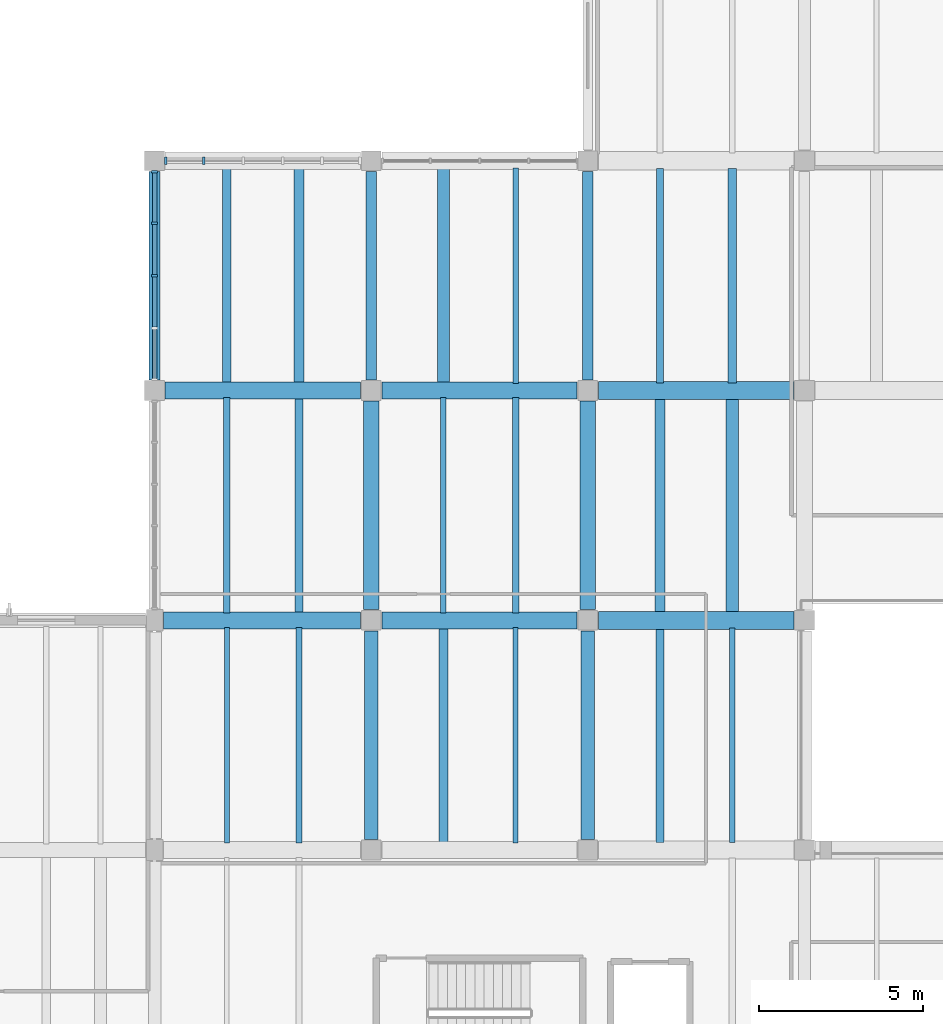
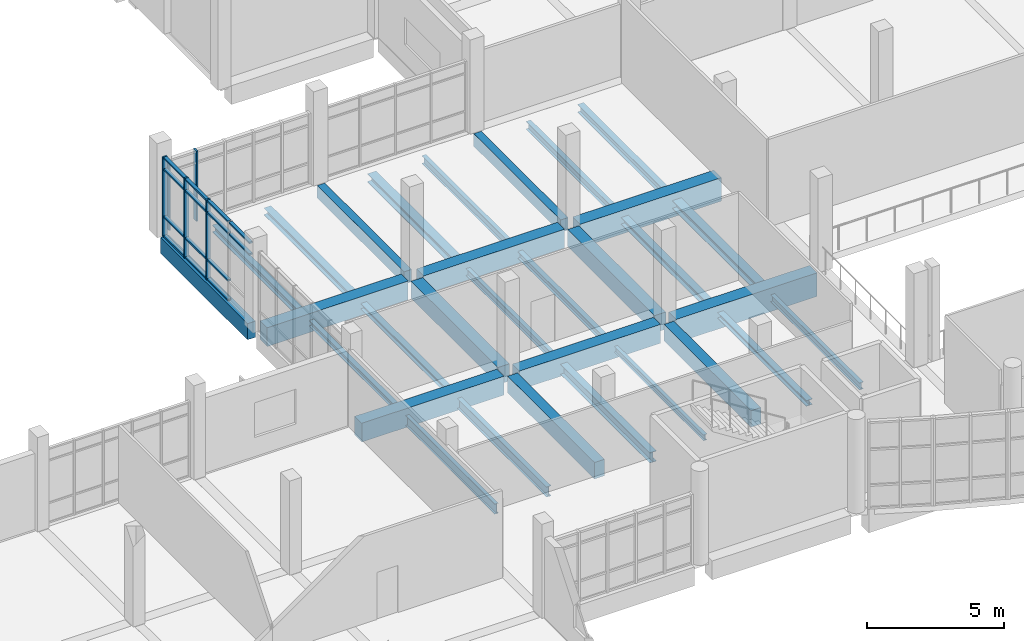
# One storey, part 7 of 67: 31 beams, 19 members, 2 elements without a shape of their own.
"""IFC4 building model written with IfcOpenShell, lengths in metres."""

from ifc_helpers import new_model, si_unit, direction, frame, origin, origin_2d, place, context, subcontext, project, spatial, rectangle, i_section, extrude, material, material_profile, profile_set, type_object, element, aggregate, save


model = new_model("IFC4")

# Units and contexts
model_context = context("Model", 3, precision=1e-05, world=origin(), true_north=direction((0.0, 1.0)))
body_context = subcontext(model_context, "Body", "Model", "MODEL_VIEW")
ifc_project = project(units=[si_unit("LENGTHUNIT", "METRE"), si_unit("AREAUNIT", "SQUARE_METRE"), si_unit("VOLUMEUNIT", "CUBIC_METRE"), si_unit("PLANEANGLEUNIT", "RADIAN"), si_unit("MASSUNIT", "GRAM", prefix="KILO")], contexts=[model_context])

# Site, building, storey
site_placement = place(None, origin())
site = spatial("IfcSite", under=ifc_project, at=site_placement, CompositionType="ELEMENT")
building_placement = place(site_placement, origin())
building = spatial("IfcBuilding", under=site, at=building_placement, Name="Ciguamira Faculty of Natural Sciences", CompositionType="ELEMENT")
storey_placement = place(building_placement, frame((0.0, 0.0, 8.39990234375)))
storey = spatial("IfcBuildingStorey", under=building, at=storey_placement, Name="L02", CompositionType="ELEMENT", Elevation=8.39990234375)

# Curtain wall, members
ifc_material_1 = material(Name="Anodized aluminium curtain wall", Category="aluminium")
curtain_wall_type_1 = type_object("IfcCurtainWallType", Name="CurtainWall_CW-05", PredefinedType="USERDEFINED", material=ifc_material_1)
curtain_wall_1_placement = place(storey_placement, origin())
curtain_wall_1 = element("IfcCurtainWall", 1, at=curtain_wall_1_placement, inside=storey, type_object=curtain_wall_type_1, Name="L02 unitised curtain wall 0077", ObjectType="UNITISED CURTAIN WALL", PredefinedType="USERDEFINED")
ifc_material_2 = material(Name="Anodized aluminium mullion", Category="aluminium")
ifc_material_profile_1 = material_profile(ifc_material_2, rectangle(XDim=0.070068359375, YDim=0.179931640625, at=origin_2d()), Name="ALU-MUL-70X180")
ifc_profile_set_1 = profile_set([ifc_material_profile_1], Name="Anodized aluminium mullion")
member_type_1 = type_object("IfcMemberType", Name="CWMullion_CWM-02", PredefinedType="MULLION", material=ifc_profile_set_1)
member_1_placement = place(storey_placement, frame((50.699951171875, 34.5, 0.0), z_axis=(0.0, 0.0, 1.0), x_axis=(0.0, 1.0, 0.0)))
member_1 = element("IfcMember", 2, at=member_1_placement, type_object=member_type_1, Name="CW-05 mullion 3", PredefinedType="MULLION", context=body_context, shape_type="SweptSolid", body=[
    extrude(rectangle(XDim=0.070068359375, YDim=0.179931640625, at=origin_2d()), origin(), (0.0, 0.0, 1.0), 3.565185546875),
])
member_2_placement = place(storey_placement, frame((50.699951171875, 36.10009765625, 0.0), z_axis=(0.0, 0.0, 1.0), x_axis=(0.0, 1.0, 0.0)))
member_2 = element("IfcMember", 3, at=member_2_placement, type_object=member_type_1, Name="CW-05 mullion 4", PredefinedType="MULLION", context=body_context, shape_type="SweptSolid", body=[
    extrude(rectangle(XDim=0.070068359375, YDim=0.179931640625, at=origin_2d()), origin(), (0.0, 0.0, 1.0), 3.565185546875),
])
member_3_placement = place(storey_placement, frame((50.699951171875, 37.6650390625, 0.0), z_axis=(0.0, 0.0, 1.0), x_axis=(0.0, 1.0, 0.0)))
member_3 = element("IfcMember", 4, at=member_3_placement, type_object=member_type_1, Name="CW-05 mullion 5", PredefinedType="MULLION", context=body_context, shape_type="SweptSolid", body=[
    extrude(rectangle(XDim=0.070068359375, YDim=0.179931640625, at=origin_2d()), origin(), (0.0, 0.0, 1.0), 3.565185546875),
])

curtain_wall_type_2 = type_object("IfcCurtainWallType", Name="CurtainWall_CW-12", PredefinedType="USERDEFINED", material=ifc_material_1)
curtain_wall_2_placement = place(storey_placement, origin())
curtain_wall_2 = element("IfcCurtainWall", 5, at=curtain_wall_2_placement, inside=storey, type_object=curtain_wall_type_2, Name="L02 unitised curtain wall 0060", ObjectType="UNITISED CURTAIN WALL", PredefinedType="USERDEFINED")
ifc_material_profile_2 = material_profile(ifc_material_2, rectangle(XDim=0.080078125, YDim=0.219970703125, at=origin_2d()), Name="ALU-MUL-80X220")
ifc_profile_set_2 = profile_set([ifc_material_profile_2], Name="Anodized aluminium mullion")
member_type_2 = type_object("IfcMemberType", Name="CWMullion_CWM-03", PredefinedType="MULLION", material=ifc_profile_set_2)
member_4_placement = place(storey_placement, frame((51.0400390625, 38.0, 0.0), z_axis=(0.0, 0.0, 1.0), x_axis=(1.0, 0.0, 0.0)))
member_4 = element("IfcMember", 6, at=member_4_placement, type_object=member_type_2, Name="CW-12 mullion 1", PredefinedType="MULLION", context=body_context, shape_type="SweptSolid", body=[
    extrude(rectangle(XDim=0.080078125, YDim=0.219970703125, at=origin_2d()), origin(), (0.0, 0.0, 1.0), 3.135009765625),
])
member_5_placement = place(storey_placement, frame((52.199951171875, 38.0, 0.0), z_axis=(0.0, 0.0, 1.0), x_axis=(1.0, 0.0, 0.0)))
member_5 = element("IfcMember", 7, at=member_5_placement, type_object=member_type_2, Name="CW-12 mullion 2", PredefinedType="MULLION", context=body_context, shape_type="SweptSolid", body=[
    extrude(rectangle(XDim=0.080078125, YDim=0.219970703125, at=origin_2d()), origin(), (0.0, 0.0, 1.0), 3.135009765625),
])
aggregate(curtain_wall_2, [member_4, member_5])

# Member
ifc_material_3 = material(Name="Anodized aluminium transom", Category="aluminium")
ifc_material_profile_3 = material_profile(ifc_material_3, rectangle(XDim=0.070068359375, YDim=0.139892578125, at=origin_2d()), Name="ALU-TRN-70X140")
ifc_profile_set_3 = profile_set([ifc_material_profile_3], Name="Anodized aluminium transom")
member_type_3 = type_object("IfcMemberType", Name="CWTransom_CWT-02", PredefinedType="USERDEFINED", material=ifc_profile_set_3)
member_6_placement = place(storey_placement, frame((50.699951171875, 31.3701171875, 3.01513671875), z_axis=(0.0, 1.0, 0.0), x_axis=(0.0, 0.0, 1.0)))
member_6 = element("IfcMember", 8, at=member_6_placement, type_object=member_type_3, Name="CW-05 transom 1.3", ObjectType="TRANSOM", PredefinedType="USERDEFINED", context=body_context, shape_type="SweptSolid", body=[
    extrude(rectangle(XDim=0.070068359375, YDim=0.139892578125, at=origin_2d()), origin(), (0.0, 0.0, 1.0), 1.494873046875),
])

member_7_placement = place(storey_placement, frame((50.699951171875, 31.3701171875, 3.530029296875), z_axis=(0.0, 1.0, 0.0), x_axis=(0.0, 0.0, 1.0)))
member_7 = element("IfcMember", 9, at=member_7_placement, type_object=member_type_3, Name="CW-05 transom 1.4", ObjectType="TRANSOM", PredefinedType="USERDEFINED", context=body_context, shape_type="SweptSolid", body=[
    extrude(rectangle(XDim=0.070068359375, YDim=0.139892578125, at=origin_2d()), origin(), (0.0, 0.0, 1.0), 1.494873046875),
])

member_8_placement = place(storey_placement, frame((50.699951171875, 32.93505859375, 0.03515625), z_axis=(0.0, 1.0, 0.0), x_axis=(0.0, 0.0, 1.0)))
member_8 = element("IfcMember", 10, at=member_8_placement, type_object=member_type_3, Name="CW-05 transom 2.1", ObjectType="TRANSOM", PredefinedType="USERDEFINED", context=body_context, shape_type="SweptSolid", body=[
    extrude(rectangle(XDim=0.070068359375, YDim=0.139892578125, at=origin_2d()), origin(), (0.0, 0.0, 1.0), 1.530029296875),
])

member_9_placement = place(storey_placement, frame((50.699951171875, 32.93505859375, 0.900146484375), z_axis=(0.0, 1.0, 0.0), x_axis=(0.0, 0.0, 1.0)))
member_9 = element("IfcMember", 11, at=member_9_placement, type_object=member_type_3, Name="CW-05 transom 2.2", ObjectType="TRANSOM", PredefinedType="USERDEFINED", context=body_context, shape_type="SweptSolid", body=[
    extrude(rectangle(XDim=0.070068359375, YDim=0.139892578125, at=origin_2d()), origin(), (0.0, 0.0, 1.0), 1.530029296875),
])

member_10_placement = place(storey_placement, frame((50.699951171875, 32.93505859375, 3.01513671875), z_axis=(0.0, 1.0, 0.0), x_axis=(0.0, 0.0, 1.0)))
member_10 = element("IfcMember", 12, at=member_10_placement, type_object=member_type_3, Name="CW-05 transom 2.3", ObjectType="TRANSOM", PredefinedType="USERDEFINED", context=body_context, shape_type="SweptSolid", body=[
    extrude(rectangle(XDim=0.070068359375, YDim=0.139892578125, at=origin_2d()), origin(), (0.0, 0.0, 1.0), 1.530029296875),
])

member_11_placement = place(storey_placement, frame((50.699951171875, 32.93505859375, 3.530029296875), z_axis=(0.0, 1.0, 0.0), x_axis=(0.0, 0.0, 1.0)))
member_11 = element("IfcMember", 13, at=member_11_placement, type_object=member_type_3, Name="CW-05 transom 2.4", ObjectType="TRANSOM", PredefinedType="USERDEFINED", context=body_context, shape_type="SweptSolid", body=[
    extrude(rectangle(XDim=0.070068359375, YDim=0.139892578125, at=origin_2d()), origin(), (0.0, 0.0, 1.0), 1.530029296875),
])

member_12_placement = place(storey_placement, frame((50.699951171875, 34.534912109375, 0.03515625), z_axis=(0.0, 1.0, 0.0), x_axis=(0.0, 0.0, 1.0)))
member_12 = element("IfcMember", 14, at=member_12_placement, type_object=member_type_3, Name="CW-05 transom 3.1", ObjectType="TRANSOM", PredefinedType="USERDEFINED", context=body_context, shape_type="SweptSolid", body=[
    extrude(rectangle(XDim=0.070068359375, YDim=0.139892578125, at=origin_2d()), origin(), (0.0, 0.0, 1.0), 1.530029296875),
])

member_13_placement = place(storey_placement, frame((50.699951171875, 34.534912109375, 0.900146484375), z_axis=(0.0, 1.0, 0.0), x_axis=(0.0, 0.0, 1.0)))
member_13 = element("IfcMember", 15, at=member_13_placement, type_object=member_type_3, Name="CW-05 transom 3.2", ObjectType="TRANSOM", PredefinedType="USERDEFINED", context=body_context, shape_type="SweptSolid", body=[
    extrude(rectangle(XDim=0.070068359375, YDim=0.139892578125, at=origin_2d()), origin(), (0.0, 0.0, 1.0), 1.530029296875),
])

member_14_placement = place(storey_placement, frame((50.699951171875, 34.534912109375, 3.01513671875), z_axis=(0.0, 1.0, 0.0), x_axis=(0.0, 0.0, 1.0)))
member_14 = element("IfcMember", 16, at=member_14_placement, type_object=member_type_3, Name="CW-05 transom 3.3", ObjectType="TRANSOM", PredefinedType="USERDEFINED", context=body_context, shape_type="SweptSolid", body=[
    extrude(rectangle(XDim=0.070068359375, YDim=0.139892578125, at=origin_2d()), origin(), (0.0, 0.0, 1.0), 1.530029296875),
])

member_15_placement = place(storey_placement, frame((50.699951171875, 34.534912109375, 3.530029296875), z_axis=(0.0, 1.0, 0.0), x_axis=(0.0, 0.0, 1.0)))
member_15 = element("IfcMember", 17, at=member_15_placement, type_object=member_type_3, Name="CW-05 transom 3.4", ObjectType="TRANSOM", PredefinedType="USERDEFINED", context=body_context, shape_type="SweptSolid", body=[
    extrude(rectangle(XDim=0.070068359375, YDim=0.139892578125, at=origin_2d()), origin(), (0.0, 0.0, 1.0), 1.530029296875),
])

member_16_placement = place(storey_placement, frame((50.699951171875, 36.135009765625, 0.03515625), z_axis=(0.0, 1.0, 0.0), x_axis=(0.0, 0.0, 1.0)))
member_16 = element("IfcMember", 18, at=member_16_placement, type_object=member_type_3, Name="CW-05 transom 4.1", ObjectType="TRANSOM", PredefinedType="USERDEFINED", context=body_context, shape_type="SweptSolid", body=[
    extrude(rectangle(XDim=0.070068359375, YDim=0.139892578125, at=origin_2d()), origin(), (0.0, 0.0, 1.0), 1.494873046875),
])

member_17_placement = place(storey_placement, frame((50.699951171875, 36.135009765625, 0.900146484375), z_axis=(0.0, 1.0, 0.0), x_axis=(0.0, 0.0, 1.0)))
member_17 = element("IfcMember", 19, at=member_17_placement, type_object=member_type_3, Name="CW-05 transom 4.2", ObjectType="TRANSOM", PredefinedType="USERDEFINED", context=body_context, shape_type="SweptSolid", body=[
    extrude(rectangle(XDim=0.070068359375, YDim=0.139892578125, at=origin_2d()), origin(), (0.0, 0.0, 1.0), 1.494873046875),
])

member_18_placement = place(storey_placement, frame((50.699951171875, 36.135009765625, 3.01513671875), z_axis=(0.0, 1.0, 0.0), x_axis=(0.0, 0.0, 1.0)))
member_18 = element("IfcMember", 20, at=member_18_placement, type_object=member_type_3, Name="CW-05 transom 4.3", ObjectType="TRANSOM", PredefinedType="USERDEFINED", context=body_context, shape_type="SweptSolid", body=[
    extrude(rectangle(XDim=0.070068359375, YDim=0.139892578125, at=origin_2d()), origin(), (0.0, 0.0, 1.0), 1.494873046875),
])

member_19_placement = place(storey_placement, frame((50.699951171875, 36.135009765625, 3.530029296875), z_axis=(0.0, 1.0, 0.0), x_axis=(0.0, 0.0, 1.0)))
member_19 = element("IfcMember", 21, at=member_19_placement, type_object=member_type_3, Name="CW-05 transom 4.4", ObjectType="TRANSOM", PredefinedType="USERDEFINED", context=body_context, shape_type="SweptSolid", body=[
    extrude(rectangle(XDim=0.070068359375, YDim=0.139892578125, at=origin_2d()), origin(), (0.0, 0.0, 1.0), 1.494873046875),
])

aggregate(curtain_wall_1, [member_1, member_2, member_3, member_6, member_7, member_8, member_9, member_10, member_11, member_12, member_13, member_14, member_15, member_16, member_17, member_18, member_19])

# Beams
ifc_material_4 = material(Name="Concrete C40/50", Category="concrete")
ifc_material_profile_4 = material_profile(ifc_material_4, rectangle(XDim=0.550048828125, YDim=1.050048828125, at=origin_2d()), Name="RC-BM-550X1050")
ifc_profile_set_4 = profile_set([ifc_material_profile_4], Name="Concrete C40/50")
beam_type_1 = type_object("IfcBeamType", Name="RCBeam_BG-01_RC-BM-550X1050", PredefinedType="BEAM", material=ifc_profile_set_4)
for number, where, z_axis, x_axis, name in (
    (22, (64.22509765625, 24.0, -0.52490234375), (1.0, 0.0, 0.0), (0.0, 1.0, 0.0), "L02 RC girder EW-0757"),
    (23, (64.22509765625, 31.0, -0.52490234375), (1.0, 0.0, 0.0), (0.0, 1.0, 0.0), "L02 RC girder EW-0763"),
):
    element("IfcBeam", number, at=place(storey_placement, frame(where, z_axis=z_axis, x_axis=x_axis)), inside=storey, type_object=beam_type_1, Name=name, PredefinedType="BEAM", context=body_context, shape_type="SweptSolid", body=[
        extrude(rectangle(XDim=0.550048828125, YDim=1.050048828125, at=origin_2d()), origin(), (0.0, 0.0, 1.0), 5.949951171875),
    ])
ifc_material_profile_5 = material_profile(ifc_material_4, rectangle(XDim=0.419921875, YDim=0.739990234375, at=origin_2d()), Name="RC-BM-420X740")
ifc_profile_set_5 = profile_set([ifc_material_profile_5], Name="Concrete C40/50")
beam_type_2 = type_object("IfcBeamType", Name="RCBeam_BG-07_RC-BM-420X740", PredefinedType="BEAM", material=ifc_profile_set_5)
for number, where, z_axis, x_axis, name in (
    (24, (57.300048828125, 17.324951171875, -0.369873046875), (0.0, 1.0, 0.0), (-1.0, 0.0, 0.0), "L02 girder NS-0897"),
    (25, (63.89990234375, 17.324951171875, -0.369873046875), (0.0, 1.0, 0.0), (-1.0, 0.0, 0.0), "L02 girder NS-0908"),
):
    element("IfcBeam", number, at=place(storey_placement, frame(where, z_axis=z_axis, x_axis=x_axis)), inside=storey, type_object=beam_type_2, Name=name, PredefinedType="BEAM", context=body_context, shape_type="SweptSolid", body=[
        extrude(rectangle(XDim=0.419921875, YDim=0.739990234375, at=origin_2d()), origin(), (0.0, 0.0, 1.0), 6.35009765625),
    ])
ifc_material_profile_6 = material_profile(ifc_material_4, rectangle(XDim=0.320068359375, YDim=0.56005859375, at=origin_2d()), Name="RC-BM-320X560")
ifc_profile_set_6 = profile_set([ifc_material_profile_6], Name="Concrete C40/50")
beam_type_3 = type_object("IfcBeamType", Name="RCBeam_BG-12_RC-BM-320X560", PredefinedType="BEAM", material=ifc_profile_set_6)
for number, where, z_axis, x_axis, name in (
    (26, (57.300048828125, 31.324951171875, -0.27978515625), (0.0, 1.0, 0.0), (-1.0, 0.0, 0.0), "L02 girder NS-0899"),
    (27, (63.89990234375, 31.324951171875, -0.27978515625), (0.0, 1.0, 0.0), (-1.0, 0.0, 0.0), "L02 girder NS-0910"),
):
    element("IfcBeam", number, at=place(storey_placement, frame(where, z_axis=z_axis, x_axis=x_axis)), inside=storey, type_object=beam_type_3, Name=name, PredefinedType="BEAM", context=body_context, shape_type="SweptSolid", body=[
        extrude(rectangle(XDim=0.320068359375, YDim=0.56005859375, at=origin_2d()), origin(), (0.0, 0.0, 1.0), 6.35009765625),
    ])
ifc_material_5 = material(Name="Precast concrete C40/50", Category="concrete")
ifc_material_profile_7 = material_profile(ifc_material_5, rectangle(XDim=0.340087890625, YDim=0.719970703125, at=origin_2d()), Name="RC-SP-340X720")
ifc_profile_set_7 = profile_set([ifc_material_profile_7], Name="Precast concrete C40/50")
beam_type_4 = type_object("IfcBeamType", Name="RCBeam_SP-03_RC-SP-340X720", PredefinedType="SPANDREL", material=ifc_profile_set_7)
beam_1_placement = place(storey_placement, frame((50.699951171875, 31.324951171875, -0.35986328125), z_axis=(0.0, 1.0, 0.0), x_axis=(-1.0, 0.0, 0.0)))
element("IfcBeam", 28, at=beam_1_placement, inside=storey, type_object=beam_type_4, Name="L02 girder NS-0896", PredefinedType="SPANDREL", context=body_context, shape_type="SweptSolid", body=[
    extrude(rectangle(XDim=0.340087890625, YDim=0.719970703125, at=origin_2d()), origin(), (0.0, 0.0, 1.0), 6.35009765625),
])
ifc_material_profile_8 = material_profile(ifc_material_4, rectangle(XDim=0.47998046875, YDim=0.760009765625, at=origin_2d()), Name="RC-TB-480X760")
ifc_profile_set_8 = profile_set([ifc_material_profile_8], Name="Concrete C40/50")
beam_type_5 = type_object("IfcBeamType", Name="RCBeam_TB-01_RC-TB-480X760", PredefinedType="T_BEAM", material=ifc_profile_set_8)
for number, where, z_axis, x_axis, name in (
    (29, (57.300048828125, 24.324951171875, -0.3798828125), (0.0, 1.0, 0.0), (-1.0, 0.0, 0.0), "L02 girder NS-0898"),
    (30, (63.89990234375, 24.324951171875, -0.3798828125), (0.0, 1.0, 0.0), (-1.0, 0.0, 0.0), "L02 girder NS-0909"),
):
    element("IfcBeam", number, at=place(storey_placement, frame(where, z_axis=z_axis, x_axis=x_axis)), inside=storey, type_object=beam_type_5, Name=name, PredefinedType="T_BEAM", context=body_context, shape_type="SweptSolid", body=[
        extrude(rectangle(XDim=0.47998046875, YDim=0.760009765625, at=origin_2d()), origin(), (0.0, 0.0, 1.0), 6.35009765625),
    ])
ifc_material_profile_9 = material_profile(ifc_material_4, rectangle(XDim=0.52001953125, YDim=0.840087890625, at=origin_2d()), Name="RC-TB-520X840")
ifc_profile_set_9 = profile_set([ifc_material_profile_9], Name="Concrete C40/50")
beam_type_6 = type_object("IfcBeamType", Name="RCBeam_TB-02_RC-TB-520X840", PredefinedType="T_BEAM", material=ifc_profile_set_9)
beam_2_placement = place(storey_placement, frame((50.97509765625, 24.0, -0.419921875), z_axis=(1.0, 0.0, 0.0), x_axis=(0.0, 1.0, 0.0)))
element("IfcBeam", 31, at=beam_2_placement, inside=storey, type_object=beam_type_6, Name="L02 RC girder EW-0755", PredefinedType="T_BEAM", context=body_context, shape_type="SweptSolid", body=[
    extrude(rectangle(XDim=0.52001953125, YDim=0.840087890625, at=origin_2d()), origin(), (0.0, 0.0, 1.0), 6.0),
])
beam_3_placement = place(storey_placement, frame((57.625, 24.0, -0.419921875), z_axis=(1.0, 0.0, 0.0), x_axis=(0.0, 1.0, 0.0)))
element("IfcBeam", 32, at=beam_3_placement, inside=storey, type_object=beam_type_6, Name="L02 RC girder EW-0756", PredefinedType="T_BEAM", context=body_context, shape_type="SweptSolid", body=[
    extrude(rectangle(XDim=0.52001953125, YDim=0.840087890625, at=origin_2d()), origin(), (0.0, 0.0, 1.0), 5.949951171875),
])
beam_4_placement = place(storey_placement, frame((51.02490234375, 31.0, -0.419921875), z_axis=(1.0, 0.0, 0.0), x_axis=(0.0, 1.0, 0.0)))
element("IfcBeam", 33, at=beam_4_placement, inside=storey, type_object=beam_type_6, Name="L02 RC girder EW-0761", PredefinedType="T_BEAM", context=body_context, shape_type="SweptSolid", body=[
    extrude(rectangle(XDim=0.52001953125, YDim=0.840087890625, at=origin_2d()), origin(), (0.0, 0.0, 1.0), 5.9501953125),
])
beam_5_placement = place(storey_placement, frame((57.625, 31.0, -0.419921875), z_axis=(1.0, 0.0, 0.0), x_axis=(0.0, 1.0, 0.0)))
element("IfcBeam", 34, at=beam_5_placement, inside=storey, type_object=beam_type_6, Name="L02 RC girder EW-0762", PredefinedType="T_BEAM", context=body_context, shape_type="SweptSolid", body=[
    extrude(rectangle(XDim=0.52001953125, YDim=0.840087890625, at=origin_2d()), origin(), (0.0, 0.0, 1.0), 5.949951171875),
])
ifc_material_6 = material(Name="Steel ASTM A992 Grade 50", Category="steel")
ifc_material_profile_10 = material_profile(ifc_material_6, i_section(OverallWidth=0.14599609375, OverallDepth=0.259033203125, WebThickness=0.006103515625, FlangeThickness=0.009033203125, at=origin_2d()), Name="W10X22")
ifc_profile_set_10 = profile_set([ifc_material_profile_10], Name="Steel ASTM A992 Grade 50")
beam_type_7 = type_object("IfcBeamType", Name="SteelJoist_SJ-01_W10X22", PredefinedType="JOIST", material=ifc_profile_set_10)
beam_6_placement = place(storey_placement, frame((61.699951171875, 17.219970703125, -0.429443359375), z_axis=(0.0, 1.0, 0.0), x_axis=(-1.0, 0.0, 0.0)))
element("IfcBeam", 35, at=beam_6_placement, inside=storey, type_object=beam_type_7, Name="L02 composite steel joist 00710", PredefinedType="JOIST", context=body_context, shape_type="SweptSolid", body=[
    extrude(i_section(OverallWidth=0.14599609375, OverallDepth=0.259033203125, WebThickness=0.006103515625, FlangeThickness=0.009033203125, at=origin_2d()), origin(), (0.0, 0.0, 1.0), 6.56005859375),
])
ifc_material_profile_11 = material_profile(ifc_material_6, i_section(OverallWidth=0.2021484375, OverallDepth=0.2470703125, WebThickness=0.00732421875, FlangeThickness=0.010986328125, at=origin_2d()), Name="W10X33")
ifc_profile_set_11 = profile_set([ifc_material_profile_11], Name="Steel ASTM A992 Grade 50")
beam_type_8 = type_object("IfcBeamType", Name="SteelJoist_SJ-02_W10X33", PredefinedType="JOIST", material=ifc_profile_set_11)
beam_7_placement = place(storey_placement, frame((52.89990234375, 24.219970703125, -0.423583984375), z_axis=(0.0, 1.0, 0.0), x_axis=(-1.0, 0.0, 0.0)))
element("IfcBeam", 36, at=beam_7_placement, inside=storey, type_object=beam_type_8, Name="L02 composite steel joist 00705", PredefinedType="JOIST", context=body_context, shape_type="SweptSolid", body=[
    extrude(i_section(OverallWidth=0.2021484375, OverallDepth=0.2470703125, WebThickness=0.00732421875, FlangeThickness=0.010986328125, at=origin_2d()), origin(), (0.0, 0.0, 1.0), 6.56005859375),
])
ifc_material_profile_12 = material_profile(ifc_material_6, i_section(OverallWidth=0.25390625, OverallDepth=0.25390625, WebThickness=0.008544921875, FlangeThickness=0.01416015625, at=origin_2d()), Name="W10X49")
ifc_profile_set_12 = profile_set([ifc_material_profile_12], Name="Steel ASTM A992 Grade 50")
beam_type_9 = type_object("IfcBeamType", Name="SteelJoist_SJ-03_W10X49", PredefinedType="JOIST", material=ifc_profile_set_12)
beam_8_placement = place(storey_placement, frame((55.10009765625, 24.219970703125, -0.427001953125), z_axis=(0.0, 1.0, 0.0), x_axis=(-1.0, 0.0, 0.0)))
element("IfcBeam", 37, at=beam_8_placement, inside=storey, type_object=beam_type_9, Name="L02 composite steel joist 00706", PredefinedType="JOIST", context=body_context, shape_type="SweptSolid", body=[
    extrude(i_section(OverallWidth=0.25390625, OverallDepth=0.25390625, WebThickness=0.008544921875, FlangeThickness=0.01416015625, at=origin_2d()), origin(), (0.0, 0.0, 1.0), 6.56005859375),
])
beam_9_placement = place(storey_placement, frame((66.10009765625, 17.235107421875, -0.427001953125), z_axis=(0.0, 1.0, 0.0), x_axis=(-1.0, 0.0, 0.0)))
element("IfcBeam", 38, at=beam_9_placement, inside=storey, type_object=beam_type_9, Name="L02 composite steel joist 00737", PredefinedType="JOIST", context=body_context, shape_type="SweptSolid", body=[
    extrude(i_section(OverallWidth=0.25390625, OverallDepth=0.25390625, WebThickness=0.008544921875, FlangeThickness=0.01416015625, at=origin_2d()), origin(), (0.0, 0.0, 1.0), 6.52978515625),
])
ifc_material_profile_13 = material_profile(ifc_material_6, i_section(OverallWidth=0.164794921875, OverallDepth=0.309814453125, WebThickness=0.005859375, FlangeThickness=0.009765625, at=origin_2d()), Name="W12X26")
ifc_profile_set_13 = profile_set([ifc_material_profile_13], Name="Steel ASTM A992 Grade 50")
beam_type_10 = type_object("IfcBeamType", Name="SteelJoist_SJ-04_W12X26", PredefinedType="JOIST", material=ifc_profile_set_13)
beam_10_placement = place(storey_placement, frame((68.300048828125, 17.235107421875, -0.454833984375), z_axis=(0.0, 1.0, 0.0), x_axis=(-1.0, 0.0, 0.0)))
element("IfcBeam", 39, at=beam_10_placement, inside=storey, type_object=beam_type_10, Name="L02 composite steel joist 00738", PredefinedType="JOIST", context=body_context, shape_type="SweptSolid", body=[
    extrude(i_section(OverallWidth=0.164794921875, OverallDepth=0.309814453125, WebThickness=0.005859375, FlangeThickness=0.009765625, at=origin_2d()), origin(), (0.0, 0.0, 1.0), 6.52978515625),
])
ifc_material_profile_14 = material_profile(ifc_material_6, i_section(OverallWidth=0.16650390625, OverallDepth=0.3173828125, WebThickness=0.007568359375, FlangeThickness=0.01318359375, at=origin_2d()), Name="W12X35")
ifc_profile_set_14 = profile_set([ifc_material_profile_14], Name="Steel ASTM A992 Grade 50")
beam_type_11 = type_object("IfcBeamType", Name="SteelJoist_SJ-05_W12X35", PredefinedType="JOIST", material=ifc_profile_set_14)
beam_11_placement = place(storey_placement, frame((59.5, 24.219970703125, -0.458740234375), z_axis=(0.0, 1.0, 0.0), x_axis=(-1.0, 0.0, 0.0)))
element("IfcBeam", 40, at=beam_11_placement, inside=storey, type_object=beam_type_11, Name="L02 composite steel joist 00711", PredefinedType="JOIST", context=body_context, shape_type="SweptSolid", body=[
    extrude(i_section(OverallWidth=0.16650390625, OverallDepth=0.3173828125, WebThickness=0.007568359375, FlangeThickness=0.01318359375, at=origin_2d()), origin(), (0.0, 0.0, 1.0), 6.56005859375),
])
ifc_material_profile_15 = material_profile(ifc_material_6, i_section(OverallWidth=0.20458984375, OverallDepth=0.307373046875, WebThickness=0.008544921875, FlangeThickness=0.0146484375, at=origin_2d()), Name="W12X45")
ifc_profile_set_15 = profile_set([ifc_material_profile_15], Name="Steel ASTM A992 Grade 50")
beam_type_12 = type_object("IfcBeamType", Name="SteelJoist_SJ-06_W12X45", PredefinedType="JOIST", material=ifc_profile_set_15)
beam_12_placement = place(storey_placement, frame((61.699951171875, 24.219970703125, -0.45361328125), z_axis=(0.0, 1.0, 0.0), x_axis=(-1.0, 0.0, 0.0)))
element("IfcBeam", 41, at=beam_12_placement, inside=storey, type_object=beam_type_12, Name="L02 composite steel joist 00712", PredefinedType="JOIST", context=body_context, shape_type="SweptSolid", body=[
    extrude(i_section(OverallWidth=0.20458984375, OverallDepth=0.307373046875, WebThickness=0.008544921875, FlangeThickness=0.0146484375, at=origin_2d()), origin(), (0.0, 0.0, 1.0), 6.56005859375),
])
ifc_material_profile_16 = material_profile(ifc_material_6, i_section(OverallWidth=0.25390625, OverallDepth=0.307373046875, WebThickness=0.0087890625, FlangeThickness=0.0146484375, at=origin_2d()), Name="W12X53")
ifc_profile_set_16 = profile_set([ifc_material_profile_16], Name="Steel ASTM A992 Grade 50")
beam_type_13 = type_object("IfcBeamType", Name="SteelJoist_SJ-07_W12X53", PredefinedType="JOIST", material=ifc_profile_set_16)
beam_13_placement = place(storey_placement, frame((52.89990234375, 31.219970703125, -0.45361328125), z_axis=(0.0, 1.0, 0.0), x_axis=(-1.0, 0.0, 0.0)))
element("IfcBeam", 42, at=beam_13_placement, inside=storey, type_object=beam_type_13, Name="L02 composite steel joist 00707", PredefinedType="JOIST", context=body_context, shape_type="SweptSolid", body=[
    extrude(i_section(OverallWidth=0.25390625, OverallDepth=0.307373046875, WebThickness=0.0087890625, FlangeThickness=0.0146484375, at=origin_2d()), origin(), (0.0, 0.0, 1.0), 6.56005859375),
])
ifc_material_profile_17 = material_profile(ifc_material_6, i_section(OverallWidth=0.3046875, OverallDepth=0.307373046875, WebThickness=0.010009765625, FlangeThickness=0.015380859375, at=origin_2d()), Name="W12X65")
ifc_profile_set_17 = profile_set([ifc_material_profile_17], Name="Steel ASTM A992 Grade 50")
beam_type_14 = type_object("IfcBeamType", Name="SteelJoist_SJ-08_W12X65", PredefinedType="JOIST", material=ifc_profile_set_17)
beam_14_placement = place(storey_placement, frame((55.10009765625, 31.219970703125, -0.45361328125), z_axis=(0.0, 1.0, 0.0), x_axis=(-1.0, 0.0, 0.0)))
element("IfcBeam", 43, at=beam_14_placement, inside=storey, type_object=beam_type_14, Name="L02 composite steel joist 00708", PredefinedType="JOIST", context=body_context, shape_type="SweptSolid", body=[
    extrude(i_section(OverallWidth=0.3046875, OverallDepth=0.307373046875, WebThickness=0.010009765625, FlangeThickness=0.015380859375, at=origin_2d()), origin(), (0.0, 0.0, 1.0), 6.56005859375),
])
beam_15_placement = place(storey_placement, frame((66.10009765625, 24.235107421875, -0.45361328125), z_axis=(0.0, 1.0, 0.0), x_axis=(-1.0, 0.0, 0.0)))
element("IfcBeam", 44, at=beam_15_placement, inside=storey, type_object=beam_type_14, Name="L02 composite steel joist 00739", PredefinedType="JOIST", context=body_context, shape_type="SweptSolid", body=[
    extrude(i_section(OverallWidth=0.3046875, OverallDepth=0.307373046875, WebThickness=0.010009765625, FlangeThickness=0.015380859375, at=origin_2d()), origin(), (0.0, 0.0, 1.0), 6.52978515625),
])
ifc_material_profile_18 = material_profile(ifc_material_6, i_section(OverallWidth=0.370849609375, OverallDepth=0.36328125, WebThickness=0.013427734375, FlangeThickness=0.021728515625, at=origin_2d()), Name="W14X109")
ifc_profile_set_18 = profile_set([ifc_material_profile_18], Name="Steel ASTM A992 Grade 50")
beam_type_15 = type_object("IfcBeamType", Name="SteelJoist_SJ-09_W14X109", PredefinedType="JOIST", material=ifc_profile_set_18)
beam_16_placement = place(storey_placement, frame((68.300048828125, 24.235107421875, -0.4814453125), z_axis=(0.0, 1.0, 0.0), x_axis=(-1.0, 0.0, 0.0)))
element("IfcBeam", 45, at=beam_16_placement, inside=storey, type_object=beam_type_15, Name="L02 composite steel joist 00740", PredefinedType="JOIST", context=body_context, shape_type="SweptSolid", body=[
    extrude(i_section(OverallWidth=0.370849609375, OverallDepth=0.36328125, WebThickness=0.013427734375, FlangeThickness=0.021728515625, at=origin_2d()), origin(), (0.0, 0.0, 1.0), 6.52978515625),
])
ifc_material_profile_19 = material_profile(ifc_material_6, i_section(OverallWidth=0.373291015625, OverallDepth=0.373291015625, WebThickness=0.016357421875, FlangeThickness=0.026123046875, at=origin_2d()), Name="W14X132")
ifc_profile_set_19 = profile_set([ifc_material_profile_19], Name="Steel ASTM A992 Grade 50")
beam_type_16 = type_object("IfcBeamType", Name="SteelJoist_SJ-10_W14X132", PredefinedType="JOIST", material=ifc_profile_set_19)
beam_17_placement = place(storey_placement, frame((59.5, 31.219970703125, -0.486572265625), z_axis=(0.0, 1.0, 0.0), x_axis=(-1.0, 0.0, 0.0)))
element("IfcBeam", 46, at=beam_17_placement, inside=storey, type_object=beam_type_16, Name="L02 composite steel joist 00713", PredefinedType="JOIST", context=body_context, shape_type="SweptSolid", body=[
    extrude(i_section(OverallWidth=0.373291015625, OverallDepth=0.373291015625, WebThickness=0.016357421875, FlangeThickness=0.026123046875, at=origin_2d()), origin(), (0.0, 0.0, 1.0), 6.56005859375),
])
ifc_material_profile_20 = material_profile(ifc_material_6, i_section(OverallWidth=0.1708984375, OverallDepth=0.3505859375, WebThickness=0.0068359375, FlangeThickness=0.009765625, at=origin_2d()), Name="W14X30")
ifc_profile_set_20 = profile_set([ifc_material_profile_20], Name="Steel ASTM A992 Grade 50")
beam_type_17 = type_object("IfcBeamType", Name="SteelJoist_SJ-11_W14X30", PredefinedType="JOIST", material=ifc_profile_set_20)
beam_18_placement = place(storey_placement, frame((61.699951171875, 31.219970703125, -0.47509765625), z_axis=(0.0, 1.0, 0.0), x_axis=(-1.0, 0.0, 0.0)))
element("IfcBeam", 47, at=beam_18_placement, inside=storey, type_object=beam_type_17, Name="L02 composite steel joist 00714", PredefinedType="JOIST", context=body_context, shape_type="SweptSolid", body=[
    extrude(i_section(OverallWidth=0.1708984375, OverallDepth=0.3505859375, WebThickness=0.0068359375, FlangeThickness=0.009765625, at=origin_2d()), origin(), (0.0, 0.0, 1.0), 6.56005859375),
])
ifc_material_profile_21 = material_profile(ifc_material_6, i_section(OverallWidth=0.204833984375, OverallDepth=0.35302734375, WebThickness=0.00927734375, FlangeThickness=0.016845703125, at=origin_2d()), Name="W14X53")
ifc_profile_set_21 = profile_set([ifc_material_profile_21], Name="Steel ASTM A992 Grade 50")
beam_type_18 = type_object("IfcBeamType", Name="SteelJoist_SJ-13_W14X53", PredefinedType="JOIST", material=ifc_profile_set_21)
beam_19_placement = place(storey_placement, frame((66.10009765625, 31.235107421875, -0.476318359375), z_axis=(0.0, 1.0, 0.0), x_axis=(-1.0, 0.0, 0.0)))
element("IfcBeam", 48, at=beam_19_placement, inside=storey, type_object=beam_type_18, Name="L02 composite steel joist 00741", PredefinedType="JOIST", context=body_context, shape_type="SweptSolid", body=[
    extrude(i_section(OverallWidth=0.204833984375, OverallDepth=0.35302734375, WebThickness=0.00927734375, FlangeThickness=0.016845703125, at=origin_2d()), origin(), (0.0, 0.0, 1.0), 6.52978515625),
])
ifc_material_profile_22 = material_profile(ifc_material_6, i_section(OverallWidth=0.25390625, OverallDepth=0.355712890625, WebThickness=0.010498046875, FlangeThickness=0.018310546875, at=origin_2d()), Name="W14X68")
ifc_profile_set_22 = profile_set([ifc_material_profile_22], Name="Steel ASTM A992 Grade 50")
beam_type_19 = type_object("IfcBeamType", Name="SteelJoist_SJ-14_W14X68", PredefinedType="JOIST", material=ifc_profile_set_22)
beam_20_placement = place(storey_placement, frame((68.300048828125, 31.235107421875, -0.477783203125), z_axis=(0.0, 1.0, 0.0), x_axis=(-1.0, 0.0, 0.0)))
element("IfcBeam", 49, at=beam_20_placement, inside=storey, type_object=beam_type_19, Name="L02 composite steel joist 00742", PredefinedType="JOIST", context=body_context, shape_type="SweptSolid", body=[
    extrude(i_section(OverallWidth=0.25390625, OverallDepth=0.355712890625, WebThickness=0.010498046875, FlangeThickness=0.018310546875, at=origin_2d()), origin(), (0.0, 0.0, 1.0), 6.52978515625),
])
ifc_material_profile_23 = material_profile(ifc_material_6, i_section(OverallWidth=0.15283203125, OverallDepth=0.45458984375, WebThickness=0.008056640625, FlangeThickness=0.013427734375, at=origin_2d()), Name="W18X40")
ifc_profile_set_23 = profile_set([ifc_material_profile_23], Name="Steel ASTM A992 Grade 50")
beam_type_20 = type_object("IfcBeamType", Name="SteelJoist_SJ-22_W18X40", PredefinedType="JOIST", material=ifc_profile_set_23)
beam_21_placement = place(storey_placement, frame((52.89990234375, 17.219970703125, -0.527099609375), z_axis=(0.0, 1.0, 0.0), x_axis=(-1.0, 0.0, 0.0)))
element("IfcBeam", 50, at=beam_21_placement, inside=storey, type_object=beam_type_20, Name="L02 composite steel joist 00703", PredefinedType="JOIST", context=body_context, shape_type="SweptSolid", body=[
    extrude(i_section(OverallWidth=0.15283203125, OverallDepth=0.45458984375, WebThickness=0.008056640625, FlangeThickness=0.013427734375, at=origin_2d()), origin(), (0.0, 0.0, 1.0), 6.56005859375),
])
ifc_material_profile_24 = material_profile(ifc_material_6, i_section(OverallWidth=0.1904296875, OverallDepth=0.457275390625, WebThickness=0.009033203125, FlangeThickness=0.014404296875, at=origin_2d()), Name="W18X50")
ifc_profile_set_24 = profile_set([ifc_material_profile_24], Name="Steel ASTM A992 Grade 50")
beam_type_21 = type_object("IfcBeamType", Name="SteelJoist_SJ-23_W18X50", PredefinedType="JOIST", material=ifc_profile_set_24)
beam_22_placement = place(storey_placement, frame((55.10009765625, 17.219970703125, -0.528564453125), z_axis=(0.0, 1.0, 0.0), x_axis=(-1.0, 0.0, 0.0)))
element("IfcBeam", 51, at=beam_22_placement, inside=storey, type_object=beam_type_21, Name="L02 composite steel joist 00704", PredefinedType="JOIST", context=body_context, shape_type="SweptSolid", body=[
    extrude(i_section(OverallWidth=0.1904296875, OverallDepth=0.457275390625, WebThickness=0.009033203125, FlangeThickness=0.014404296875, at=origin_2d()), origin(), (0.0, 0.0, 1.0), 6.56005859375),
])
ifc_material_profile_25 = material_profile(ifc_material_6, i_section(OverallWidth=0.279296875, OverallDepth=0.462158203125, WebThickness=0.0107421875, FlangeThickness=0.017333984375, at=origin_2d()), Name="W18X76")
ifc_profile_set_25 = profile_set([ifc_material_profile_25], Name="Steel ASTM A992 Grade 50")
beam_type_22 = type_object("IfcBeamType", Name="SteelJoist_SJ-25_W18X76", PredefinedType="JOIST", material=ifc_profile_set_25)
beam_23_placement = place(storey_placement, frame((59.5, 17.219970703125, -0.531005859375), z_axis=(0.0, 1.0, 0.0), x_axis=(-1.0, 0.0, 0.0)))
element("IfcBeam", 52, at=beam_23_placement, inside=storey, type_object=beam_type_22, Name="L02 composite steel joist 00709", PredefinedType="JOIST", context=body_context, shape_type="SweptSolid", body=[
    extrude(i_section(OverallWidth=0.279296875, OverallDepth=0.462158203125, WebThickness=0.0107421875, FlangeThickness=0.017333984375, at=origin_2d()), origin(), (0.0, 0.0, 1.0), 6.56005859375),
])

save(model, "model.ifc")
